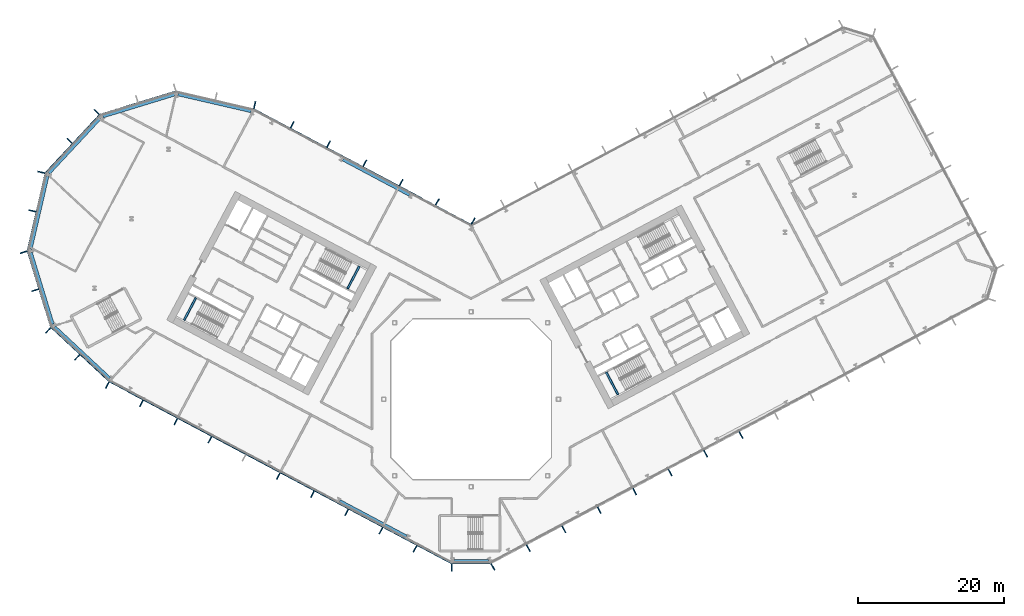
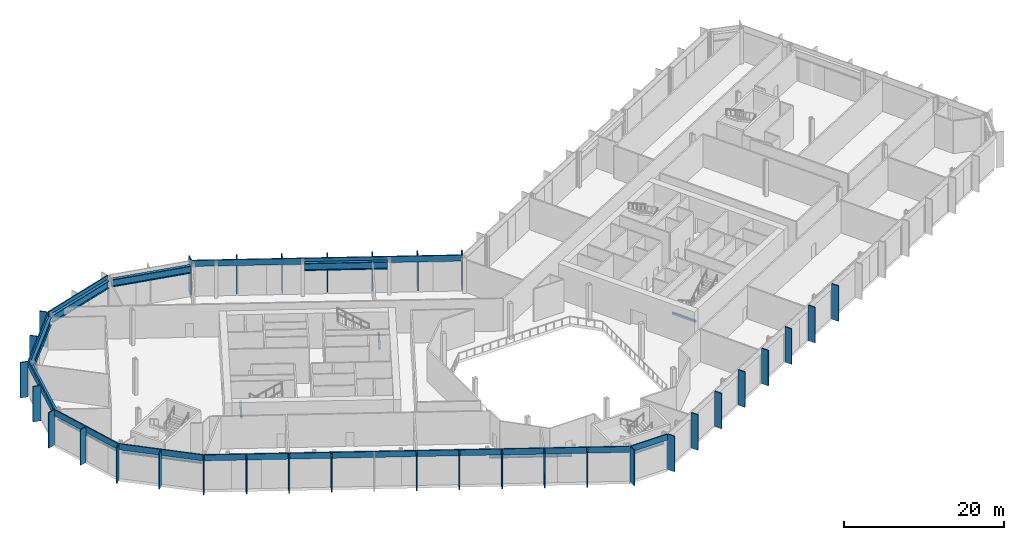
# One storey, part 6 of 31: 41 members, 12 beams, 10 elements without a shape of their own.
"""IFC4 building model written with IfcOpenShell, lengths in metres."""

from ifc_helpers import new_model, si_unit, direction, frame, origin, origin_2d, place, context, subcontext, project, spatial, rectangle, i_section, extrude, material, layer, layer_set, material_profile, profile_set, type_object, element, aggregate, save


model = new_model("IFC4")

# Units and contexts
model_context = context("Model", 3, precision=1e-05, world=origin(), true_north=direction((0.0, 1.0)))
body_context = subcontext(model_context, "Body", "Model", "MODEL_VIEW")
ifc_project = project(units=[si_unit("LENGTHUNIT", "METRE"), si_unit("AREAUNIT", "SQUARE_METRE"), si_unit("VOLUMEUNIT", "CUBIC_METRE"), si_unit("PLANEANGLEUNIT", "RADIAN"), si_unit("MASSUNIT", "GRAM", prefix="KILO")], contexts=[model_context])

# Site, building, storey
site_placement = place(None, origin())
site = spatial("IfcSite", under=ifc_project, at=site_placement, CompositionType="ELEMENT")
building_placement = place(site_placement, origin())
building = spatial("IfcBuilding", under=site, at=building_placement, Name="Cormorant Relay Tower", CompositionType="ELEMENT")
storey_placement = place(building_placement, frame((0.0, 0.0, 33.800048828125)))
storey = spatial("IfcBuildingStorey", under=building, at=storey_placement, Name="L06", CompositionType="ELEMENT", Elevation=33.800048828125)

# Curtain wall, member
ifc_material_1 = material(Name="Aluminium 6063-T6 anodised bronze", Category="aluminium")
ifc_layer = layer(ifc_material_1, 0.235107421875)
ifc_layer_set = layer_set([ifc_layer], Name="CW6 data hall curtain wall with mineral wool panels")
curtain_wall_type = type_object("IfcCurtainWallType", Name="CW6 data hall curtain wall with mineral wool panels", PredefinedType="NOTDEFINED", material=ifc_layer_set)
curtain_wall_1_placement = place(storey_placement, origin())
curtain_wall_1 = element("IfcCurtainWall", 1, at=curtain_wall_1_placement, inside=storey, type_object=curtain_wall_type, Name="CW6 curtain wall 1", PredefinedType="NOTDEFINED")
ifc_material_2 = material(Name="Aluminium 6063-T6 anodised bronze", Category="aluminium")
ifc_material_profile_1 = material_profile(ifc_material_2, rectangle(XDim=0.14990234375, YDim=1.0, at=origin_2d()), Name="AL 150x1000")
ifc_profile_set_1 = profile_set([ifc_material_profile_1], Name="Aluminium 6063-T6 anodised bronze")
member_type_1 = type_object("IfcMemberType", Name="CW6 bronze fin mullion 150 x 1000", PredefinedType="MULLION", material=ifc_profile_set_1)
member_1_placement = place(storey_placement, frame((-2.648681640625, -23.110595703125, 0.0), z_axis=(0.0, 0.0, 1.0), x_axis=(1.0, 0.0, 0.0)))
member_1 = element("IfcMember", 2, at=member_1_placement, type_object=member_type_1, Name="CW6 fin 1.1", PredefinedType="MULLION", context=body_context, shape_type="SweptSolid", body=[
    extrude(rectangle(XDim=0.14990234375, YDim=1.0, at=origin_2d()), origin(), (0.0, 0.0, 1.0), 5.39990234375),
])

# Curtain wall, members
curtain_wall_2_placement = place(storey_placement, origin())
curtain_wall_2 = element("IfcCurtainWall", 3, at=curtain_wall_2_placement, inside=storey, type_object=curtain_wall_type, Name="CW6 curtain wall 2", PredefinedType="NOTDEFINED")
member_2_placement = place(storey_placement, frame((2.993896484375, -23.0244140625, 0.0), z_axis=(0.0, 0.0, 1.0), x_axis=(0.882947592859, 0.469471562786, 0.0)))
member_2 = element("IfcMember", 4, at=member_2_placement, type_object=member_type_1, Name="CW6 fin 2.1", PredefinedType="MULLION", context=body_context, shape_type="SweptSolid", body=[
    extrude(rectangle(XDim=0.14990234375, YDim=1.0, at=origin_2d()), origin(), (0.0, 0.0, 1.0), 5.39990234375),
])
member_3_placement = place(storey_placement, frame((7.860595703125, -20.43701171875, 0.0), z_axis=(0.0, 0.0, 1.0), x_axis=(0.882947592859, 0.469471562786, 0.0)))
member_3 = element("IfcMember", 5, at=member_3_placement, type_object=member_type_1, Name="CW6 fin 2.2", PredefinedType="MULLION", context=body_context, shape_type="SweptSolid", body=[
    extrude(rectangle(XDim=0.14990234375, YDim=1.0, at=origin_2d()), origin(), (0.0, 0.0, 1.0), 5.39990234375),
])
member_4_placement = place(storey_placement, frame((12.727294921875, -17.84912109375, 0.0), z_axis=(0.0, 0.0, 1.0), x_axis=(0.882947592859, 0.469471562786, 0.0)))
member_4 = element("IfcMember", 6, at=member_4_placement, type_object=member_type_1, Name="CW6 fin 2.3", PredefinedType="MULLION", context=body_context, shape_type="SweptSolid", body=[
    extrude(rectangle(XDim=0.14990234375, YDim=1.0, at=origin_2d()), origin(), (0.0, 0.0, 1.0), 5.39990234375),
])
member_5_placement = place(storey_placement, frame((17.593994140625, -15.26171875, 0.0), z_axis=(0.0, 0.0, 1.0), x_axis=(0.882947592859, 0.469471562786, 0.0)))
member_5 = element("IfcMember", 7, at=member_5_placement, type_object=member_type_1, Name="CW6 fin 2.4", PredefinedType="MULLION", context=body_context, shape_type="SweptSolid", body=[
    extrude(rectangle(XDim=0.14990234375, YDim=1.0, at=origin_2d()), origin(), (0.0, 0.0, 1.0), 5.39990234375),
])
member_6_placement = place(storey_placement, frame((22.460693359375, -12.673828125, 0.0), z_axis=(0.0, 0.0, 1.0), x_axis=(0.882947592859, 0.469471562786, 0.0)))
member_6 = element("IfcMember", 8, at=member_6_placement, type_object=member_type_1, Name="CW6 fin 2.5", PredefinedType="MULLION", context=body_context, shape_type="SweptSolid", body=[
    extrude(rectangle(XDim=0.14990234375, YDim=1.0, at=origin_2d()), origin(), (0.0, 0.0, 1.0), 5.39990234375),
])
member_7_placement = place(storey_placement, frame((27.327392578125, -10.086181640625, 0.0), z_axis=(0.0, 0.0, 1.0), x_axis=(0.882947592859, 0.469471562786, 0.0)))
member_7 = element("IfcMember", 9, at=member_7_placement, type_object=member_type_1, Name="CW6 fin 2.6", PredefinedType="MULLION", context=body_context, shape_type="SweptSolid", body=[
    extrude(rectangle(XDim=0.14990234375, YDim=1.0, at=origin_2d()), origin(), (0.0, 0.0, 1.0), 5.39990234375),
])
member_8_placement = place(storey_placement, frame((32.194091796875, -7.49853515625, 0.0), z_axis=(0.0, 0.0, 1.0), x_axis=(0.882947592859, 0.469471562786, 0.0)))
member_8 = element("IfcMember", 10, at=member_8_placement, type_object=member_type_1, Name="CW6 fin 2.7", PredefinedType="MULLION", context=body_context, shape_type="SweptSolid", body=[
    extrude(rectangle(XDim=0.14990234375, YDim=1.0, at=origin_2d()), origin(), (0.0, 0.0, 1.0), 5.39990234375),
])
member_9_placement = place(storey_placement, frame((37.060546875, -4.910888671875, 0.0), z_axis=(0.0, 0.0, 1.0), x_axis=(0.882947592859, 0.469471562786, 0.0)))
member_9 = element("IfcMember", 11, at=member_9_placement, type_object=member_type_1, Name="CW6 fin 2.8", PredefinedType="MULLION", context=body_context, shape_type="SweptSolid", body=[
    extrude(rectangle(XDim=0.14990234375, YDim=1.0, at=origin_2d()), origin(), (0.0, 0.0, 1.0), 5.39990234375),
])
aggregate(curtain_wall_2, [member_2, member_3, member_4, member_5, member_6, member_7, member_8, member_9])

curtain_wall_3_placement = place(storey_placement, origin())
curtain_wall_3 = element("IfcCurtainWall", 12, at=curtain_wall_3_placement, inside=storey, type_object=curtain_wall_type, Name="CW6 curtain wall 7", PredefinedType="NOTDEFINED")
member_10_placement = place(storey_placement, frame((0.27880859375, 24.468017578125, 0.0), z_axis=(0.0, 0.0, 1.0), x_axis=(-0.882947592859, 0.469471562786, 0.0)))
member_10 = element("IfcMember", 13, at=member_10_placement, type_object=member_type_1, Name="CW6 fin 7.1", PredefinedType="MULLION", context=body_context, shape_type="SweptSolid", body=[
    extrude(rectangle(XDim=0.14990234375, YDim=1.0, at=origin_2d()), origin(), (0.0, 0.0, 1.0), 5.39990234375),
])
member_11_placement = place(storey_placement, frame((-4.6337890625, 27.080322265625, 0.0), z_axis=(0.0, 0.0, 1.0), x_axis=(-0.882947592859, 0.469471562786, 0.0)))
member_11 = element("IfcMember", 14, at=member_11_placement, type_object=member_type_1, Name="CW6 fin 7.2", PredefinedType="MULLION", context=body_context, shape_type="SweptSolid", body=[
    extrude(rectangle(XDim=0.14990234375, YDim=1.0, at=origin_2d()), origin(), (0.0, 0.0, 1.0), 5.39990234375),
])
member_12_placement = place(storey_placement, frame((-9.61279296875, 29.727783203125, 0.0), z_axis=(0.0, 0.0, 1.0), x_axis=(-0.882947592859, 0.469471562786, 0.0)))
member_12 = element("IfcMember", 15, at=member_12_placement, type_object=member_type_1, Name="CW6 fin 7.3", PredefinedType="MULLION", context=body_context, shape_type="SweptSolid", body=[
    extrude(rectangle(XDim=0.14990234375, YDim=1.0, at=origin_2d()), origin(), (0.0, 0.0, 1.0), 5.39990234375),
])
member_13_placement = place(storey_placement, frame((-14.591796875, 32.375, 0.0), z_axis=(0.0, 0.0, 1.0), x_axis=(-0.882947592859, 0.469471562786, 0.0)))
member_13 = element("IfcMember", 16, at=member_13_placement, type_object=member_type_1, Name="CW6 fin 7.4", PredefinedType="MULLION", context=body_context, shape_type="SweptSolid", body=[
    extrude(rectangle(XDim=0.14990234375, YDim=1.0, at=origin_2d()), origin(), (0.0, 0.0, 1.0), 5.39990234375),
])
member_14_placement = place(storey_placement, frame((-19.57080078125, 35.0224609375, 0.0), z_axis=(0.0, 0.0, 1.0), x_axis=(-0.882947592859, 0.469471562786, 0.0)))
member_14 = element("IfcMember", 17, at=member_14_placement, type_object=member_type_1, Name="CW6 fin 7.5", PredefinedType="MULLION", context=body_context, shape_type="SweptSolid", body=[
    extrude(rectangle(XDim=0.14990234375, YDim=1.0, at=origin_2d()), origin(), (0.0, 0.0, 1.0), 5.39990234375),
])
member_15_placement = place(storey_placement, frame((-24.5498046875, 37.669677734375, 0.0), z_axis=(0.0, 0.0, 1.0), x_axis=(-0.882947592859, 0.469471562786, 0.0)))
member_15 = element("IfcMember", 18, at=member_15_placement, type_object=member_type_1, Name="CW6 fin 7.6", PredefinedType="MULLION", context=body_context, shape_type="SweptSolid", body=[
    extrude(rectangle(XDim=0.14990234375, YDim=1.0, at=origin_2d()), origin(), (0.0, 0.0, 1.0), 5.39990234375),
])

# Curtain wall, member
curtain_wall_4_placement = place(storey_placement, origin())
curtain_wall_4 = element("IfcCurtainWall", 19, at=curtain_wall_4_placement, inside=storey, type_object=curtain_wall_type, Name="CW6 curtain wall 8", PredefinedType="NOTDEFINED")
member_16_placement = place(storey_placement, frame((-29.70849609375, 40.38427734375, 0.0), z_axis=(0.0, 0.0, 1.0), x_axis=(-0.974370064785, 0.224951054344, 0.0)))
member_16 = element("IfcMember", 20, at=member_16_placement, type_object=member_type_1, Name="CW6 fin 8.1", PredefinedType="MULLION", context=body_context, shape_type="SweptSolid", body=[
    extrude(rectangle(XDim=0.14990234375, YDim=1.0, at=origin_2d()), origin(), (0.0, 0.0, 1.0), 5.39990234375),
])
aggregate(curtain_wall_4, [member_16])

# Curtain wall, members
curtain_wall_5_placement = place(storey_placement, origin())
curtain_wall_5 = element("IfcCurtainWall", 21, at=curtain_wall_5_placement, inside=storey, type_object=curtain_wall_type, Name="CW6 curtain wall 10", PredefinedType="NOTDEFINED")
member_17_placement = place(storey_placement, frame((-51.3984375, 39.4365234375, 0.0), z_axis=(0.0, 0.0, 1.0), x_axis=(-0.681998360062, -0.731353701619, 0.0)))
member_17 = element("IfcMember", 22, at=member_17_placement, type_object=member_type_1, Name="CW6 fin 10.1", PredefinedType="MULLION", context=body_context, shape_type="SweptSolid", body=[
    extrude(rectangle(XDim=0.14990234375, YDim=1.0, at=origin_2d()), origin(), (0.0, 0.0, 1.0), 5.39990234375),
])
member_18_placement = place(storey_placement, frame((-55.105224609375, 35.46142578125, 0.0), z_axis=(0.0, 0.0, 1.0), x_axis=(-0.681998360062, -0.731353701619, 0.0)))
member_18 = element("IfcMember", 23, at=member_18_placement, type_object=member_type_1, Name="CW6 fin 10.2", PredefinedType="MULLION", context=body_context, shape_type="SweptSolid", body=[
    extrude(rectangle(XDim=0.14990234375, YDim=1.0, at=origin_2d()), origin(), (0.0, 0.0, 1.0), 5.39990234375),
])

curtain_wall_6_placement = place(storey_placement, origin())
curtain_wall_6 = element("IfcCurtainWall", 24, at=curtain_wall_6_placement, inside=storey, type_object=curtain_wall_type, Name="CW6 curtain wall 11", PredefinedType="NOTDEFINED")
member_19_placement = place(storey_placement, frame((-58.99072265625, 31.150390625, 0.0), z_axis=(0.0, 0.0, 1.0), x_axis=(-0.224951054344, -0.974370064785, 0.0)))
member_19 = element("IfcMember", 25, at=member_19_placement, type_object=member_type_1, Name="CW6 fin 11.1", PredefinedType="MULLION", context=body_context, shape_type="SweptSolid", body=[
    extrude(rectangle(XDim=0.14990234375, YDim=1.0, at=origin_2d()), origin(), (0.0, 0.0, 1.0), 5.39990234375),
])
member_20_placement = place(storey_placement, frame((-60.21337890625, 25.8544921875, 0.0), z_axis=(0.0, 0.0, 1.0), x_axis=(-0.224951054344, -0.974370064785, 0.0)))
member_20 = element("IfcMember", 26, at=member_20_placement, type_object=member_type_1, Name="CW6 fin 11.2", PredefinedType="MULLION", context=body_context, shape_type="SweptSolid", body=[
    extrude(rectangle(XDim=0.14990234375, YDim=1.0, at=origin_2d()), origin(), (0.0, 0.0, 1.0), 5.39990234375),
])

curtain_wall_7_placement = place(storey_placement, origin())
curtain_wall_7 = element("IfcCurtainWall", 27, at=curtain_wall_7_placement, inside=storey, type_object=curtain_wall_type, Name="CW6 curtain wall 12", PredefinedType="NOTDEFINED")
member_21_placement = place(storey_placement, frame((-61.422607421875, 20.178466796875, 0.0), z_axis=(0.0, 0.0, 1.0), x_axis=(0.292371704723, -0.956304755963, 0.0)))
member_21 = element("IfcMember", 28, at=member_21_placement, type_object=member_type_1, Name="CW6 fin 12.1", PredefinedType="MULLION", context=body_context, shape_type="SweptSolid", body=[
    extrude(rectangle(XDim=0.14990234375, YDim=1.0, at=origin_2d()), origin(), (0.0, 0.0, 1.0), 5.39990234375),
])
member_22_placement = place(storey_placement, frame((-59.83349609375, 14.980712890625, 0.0), z_axis=(0.0, 0.0, 1.0), x_axis=(0.292371704723, -0.956304755963, 0.0)))
member_22 = element("IfcMember", 29, at=member_22_placement, type_object=member_type_1, Name="CW6 fin 12.2", PredefinedType="MULLION", context=body_context, shape_type="SweptSolid", body=[
    extrude(rectangle(XDim=0.14990234375, YDim=1.0, at=origin_2d()), origin(), (0.0, 0.0, 1.0), 5.39990234375),
])

curtain_wall_8_placement = place(storey_placement, origin())
curtain_wall_8 = element("IfcCurtainWall", 30, at=curtain_wall_8_placement, inside=storey, type_object=curtain_wall_type, Name="CW6 curtain wall 13", PredefinedType="NOTDEFINED")
member_23_placement = place(storey_placement, frame((-58.04296875, 9.46044921875, 0.0), z_axis=(0.0, 0.0, 1.0), x_axis=(0.731353701619, -0.681998360062, 0.0)))
member_23 = element("IfcMember", 31, at=member_23_placement, type_object=member_type_1, Name="CW6 fin 13.1", PredefinedType="MULLION", context=body_context, shape_type="SweptSolid", body=[
    extrude(rectangle(XDim=0.14990234375, YDim=1.0, at=origin_2d()), origin(), (0.0, 0.0, 1.0), 5.39990234375),
])
member_24_placement = place(storey_placement, frame((-54.06787109375, 5.753662109375, 0.0), z_axis=(0.0, 0.0, 1.0), x_axis=(0.731353701619, -0.681998360062, 0.0)))
member_24 = element("IfcMember", 32, at=member_24_placement, type_object=member_type_1, Name="CW6 fin 13.2", PredefinedType="MULLION", context=body_context, shape_type="SweptSolid", body=[
    extrude(rectangle(XDim=0.14990234375, YDim=1.0, at=origin_2d()), origin(), (0.0, 0.0, 1.0), 5.39990234375),
])

curtain_wall_9_placement = place(storey_placement, origin())
curtain_wall_9 = element("IfcCurtainWall", 33, at=curtain_wall_9_placement, inside=storey, type_object=curtain_wall_type, Name="CW6 curtain wall 14", PredefinedType="NOTDEFINED")
member_25_placement = place(storey_placement, frame((-49.9365234375, 1.935302734375, 0.0), z_axis=(0.0, 0.0, 1.0), x_axis=(0.882947592859, -0.469471562786, 0.0)))
member_25 = element("IfcMember", 34, at=member_25_placement, type_object=member_type_1, Name="CW6 fin 14.1", PredefinedType="MULLION", context=body_context, shape_type="SweptSolid", body=[
    extrude(rectangle(XDim=0.14990234375, YDim=1.0, at=origin_2d()), origin(), (0.0, 0.0, 1.0), 5.39990234375),
])
member_26_placement = place(storey_placement, frame((-45.2421875, -0.560546875, 0.0), z_axis=(0.0, 0.0, 1.0), x_axis=(0.882947592859, -0.469471562786, 0.0)))
member_26 = element("IfcMember", 35, at=member_26_placement, type_object=member_type_1, Name="CW6 fin 14.2", PredefinedType="MULLION", context=body_context, shape_type="SweptSolid", body=[
    extrude(rectangle(XDim=0.14990234375, YDim=1.0, at=origin_2d()), origin(), (0.0, 0.0, 1.0), 5.39990234375),
])
member_27_placement = place(storey_placement, frame((-40.548095703125, -3.056640625, 0.0), z_axis=(0.0, 0.0, 1.0), x_axis=(0.882947592859, -0.469471562786, 0.0)))
member_27 = element("IfcMember", 36, at=member_27_placement, type_object=member_type_1, Name="CW6 fin 14.3", PredefinedType="MULLION", context=body_context, shape_type="SweptSolid", body=[
    extrude(rectangle(XDim=0.14990234375, YDim=1.0, at=origin_2d()), origin(), (0.0, 0.0, 1.0), 5.39990234375),
])
member_28_placement = place(storey_placement, frame((-35.853759765625, -5.552490234375, 0.0), z_axis=(0.0, 0.0, 1.0), x_axis=(0.882947592859, -0.469471562786, 0.0)))
member_28 = element("IfcMember", 37, at=member_28_placement, type_object=member_type_1, Name="CW6 fin 14.4", PredefinedType="MULLION", context=body_context, shape_type="SweptSolid", body=[
    extrude(rectangle(XDim=0.14990234375, YDim=1.0, at=origin_2d()), origin(), (0.0, 0.0, 1.0), 5.39990234375),
])
member_29_placement = place(storey_placement, frame((-26.46533203125, -10.544677734375, 0.0), z_axis=(0.0, 0.0, 1.0), x_axis=(0.882947592859, -0.469471562786, 0.0)))
member_29 = element("IfcMember", 38, at=member_29_placement, type_object=member_type_1, Name="CW6 fin 14.6", PredefinedType="MULLION", context=body_context, shape_type="SweptSolid", body=[
    extrude(rectangle(XDim=0.14990234375, YDim=1.0, at=origin_2d()), origin(), (0.0, 0.0, 1.0), 5.39990234375),
])
member_30_placement = place(storey_placement, frame((-21.77099609375, -13.04052734375, 0.0), z_axis=(0.0, 0.0, 1.0), x_axis=(0.882947592859, -0.469471562786, 0.0)))
member_30 = element("IfcMember", 39, at=member_30_placement, type_object=member_type_1, Name="CW6 fin 14.7", PredefinedType="MULLION", context=body_context, shape_type="SweptSolid", body=[
    extrude(rectangle(XDim=0.14990234375, YDim=1.0, at=origin_2d()), origin(), (0.0, 0.0, 1.0), 5.39990234375),
])
member_31_placement = place(storey_placement, frame((-17.07666015625, -15.53662109375, 0.0), z_axis=(0.0, 0.0, 1.0), x_axis=(0.882947592859, -0.469471562786, 0.0)))
member_31 = element("IfcMember", 40, at=member_31_placement, type_object=member_type_1, Name="CW6 fin 14.8", PredefinedType="MULLION", context=body_context, shape_type="SweptSolid", body=[
    extrude(rectangle(XDim=0.14990234375, YDim=1.0, at=origin_2d()), origin(), (0.0, 0.0, 1.0), 5.39990234375),
])
member_32_placement = place(storey_placement, frame((-12.38232421875, -18.032470703125, 0.0), z_axis=(0.0, 0.0, 1.0), x_axis=(0.882947592859, -0.469471562786, 0.0)))
member_32 = element("IfcMember", 41, at=member_32_placement, type_object=member_type_1, Name="CW6 fin 14.9", PredefinedType="MULLION", context=body_context, shape_type="SweptSolid", body=[
    extrude(rectangle(XDim=0.14990234375, YDim=1.0, at=origin_2d()), origin(), (0.0, 0.0, 1.0), 5.39990234375),
])
member_33_placement = place(storey_placement, frame((-7.688232421875, -20.528564453125, 0.0), z_axis=(0.0, 0.0, 1.0), x_axis=(0.882947592859, -0.469471562786, 0.0)))
member_33 = element("IfcMember", 42, at=member_33_placement, type_object=member_type_1, Name="CW6 fin 14.10", PredefinedType="MULLION", context=body_context, shape_type="SweptSolid", body=[
    extrude(rectangle(XDim=0.14990234375, YDim=1.0, at=origin_2d()), origin(), (0.0, 0.0, 1.0), 5.39990234375),
])

# Member
ifc_material_3 = material(Name="Aluminium 6063-T6 anodised bronze", Category="aluminium")
ifc_material_profile_2 = material_profile(ifc_material_3, rectangle(XDim=0.159912109375, YDim=0.89990234375, at=origin_2d()), Name="AL 160x900")
ifc_profile_set_2 = profile_set([ifc_material_profile_2], Name="Aluminium 6063-T6 anodised bronze")
member_type_2 = type_object("IfcMemberType", Name="CW6 bronze transom 160 x 900", PredefinedType="USERDEFINED", material=ifc_profile_set_2)
member_34_placement = place(storey_placement, frame((-2.648681640625, -22.530517578125, 4.949951171875), z_axis=(1.0, 0.0, 0.0), x_axis=(0.0, 1.0, 0.0)))
member_34 = element("IfcMember", 43, at=member_34_placement, type_object=member_type_2, Name="CW6 transom 1", ObjectType="TRANSOM", PredefinedType="USERDEFINED", context=body_context, shape_type="SweptSolid", body=[
    extrude(rectangle(XDim=0.159912109375, YDim=0.89990234375, at=origin_2d()), origin(), (0.0, 0.0, 1.0), 5.29736328125),
])

aggregate(curtain_wall_1, [member_1, member_34])

member_35_placement = place(storey_placement, frame((0.07275390625, 23.9208984375, 4.949951171875), z_axis=(-0.882949271414, 0.46946840587, 0.0), x_axis=(-0.46946840587, -0.882949271414, 0.0)))
member_35 = element("IfcMember", 44, at=member_35_placement, type_object=member_type_2, Name="CW6 transom 7", ObjectType="TRANSOM", PredefinedType="USERDEFINED", context=body_context, shape_type="SweptSolid", body=[
    extrude(rectangle(XDim=0.159912109375, YDim=0.89990234375, at=origin_2d()), origin(), (0.0, 0.0, 1.0), 33.833984375),
])

aggregate(curtain_wall_3, [member_10, member_11, member_12, member_13, member_14, member_15, member_35])

# Curtain wall, member
curtain_wall_10_placement = place(storey_placement, origin())
curtain_wall_10 = element("IfcCurtainWall", 45, at=curtain_wall_10_placement, inside=storey, type_object=curtain_wall_type, Name="CW6 curtain wall 9", PredefinedType="NOTDEFINED")
member_36_placement = place(storey_placement, frame((-40.5107421875, 42.26171875, 4.949951171875), z_axis=(-0.956304833932, -0.292371449698, 0.0), x_axis=(0.292371449698, -0.956304833932, 0.0)))
member_36 = element("IfcMember", 46, at=member_36_placement, type_object=member_type_2, Name="CW6 transom 9", ObjectType="TRANSOM", PredefinedType="USERDEFINED", context=body_context, shape_type="SweptSolid", body=[
    extrude(rectangle(XDim=0.159912109375, YDim=0.89990234375, at=origin_2d()), origin(), (0.0, 0.0, 1.0), 10.87060546875),
])
aggregate(curtain_wall_10, [member_36])

# Member
member_37_placement = place(storey_placement, frame((-50.974365234375, 39.041015625, 4.949951171875), z_axis=(-0.681993299437, -0.731358420696, 0.0), x_axis=(0.731358420696, -0.681993299437, 0.0)))
member_37 = element("IfcMember", 47, at=member_37_placement, type_object=member_type_2, Name="CW6 transom 10", ObjectType="TRANSOM", PredefinedType="USERDEFINED", context=body_context, shape_type="SweptSolid", body=[
    extrude(rectangle(XDim=0.159912109375, YDim=0.89990234375, at=origin_2d()), origin(), (0.0, 0.0, 1.0), 10.870361328125),
])

aggregate(curtain_wall_5, [member_17, member_18, member_37])

member_38_placement = place(storey_placement, frame((-58.425537109375, 31.02001953125, 4.949951171875), z_axis=(-0.22495136131, -0.974369993916, 0.0), x_axis=(0.974369993916, -0.22495136131, 0.0)))
member_38 = element("IfcMember", 48, at=member_38_placement, type_object=member_type_2, Name="CW6 transom 11", ObjectType="TRANSOM", PredefinedType="USERDEFINED", context=body_context, shape_type="SweptSolid", body=[
    extrude(rectangle(XDim=0.159912109375, YDim=0.89990234375, at=origin_2d()), origin(), (0.0, 0.0, 1.0), 10.870361328125),
])

aggregate(curtain_wall_6, [member_19, member_20, member_38])

member_39_placement = place(storey_placement, frame((-60.8681640625, 20.347900390625, 4.949951171875), z_axis=(0.292377729282, -0.95630291405, 0.0), x_axis=(0.95630291405, 0.292377729282, 0.0)))
member_39 = element("IfcMember", 49, at=member_39_placement, type_object=member_type_2, Name="CW6 transom 12", ObjectType="TRANSOM", PredefinedType="USERDEFINED", context=body_context, shape_type="SweptSolid", body=[
    extrude(rectangle(XDim=0.159912109375, YDim=0.89990234375, at=origin_2d()), origin(), (0.0, 0.0, 1.0), 10.870361328125),
])

aggregate(curtain_wall_7, [member_21, member_22, member_39])

member_40_placement = place(storey_placement, frame((-57.6474609375, 9.884521484375, 4.949951171875), z_axis=(0.731358420696, -0.681993299437, 0.0), x_axis=(0.681993299437, 0.731358420696, 0.0)))
member_40 = element("IfcMember", 50, at=member_40_placement, type_object=member_type_2, Name="CW6 transom 13", ObjectType="TRANSOM", PredefinedType="USERDEFINED", context=body_context, shape_type="SweptSolid", body=[
    extrude(rectangle(XDim=0.159912109375, YDim=0.89990234375, at=origin_2d()), origin(), (0.0, 0.0, 1.0), 10.870361328125),
])

aggregate(curtain_wall_8, [member_23, member_24, member_40])

member_41_placement = place(storey_placement, frame((-49.664306640625, 2.447509765625, 4.949951171875), z_axis=(0.882946630435, -0.469473372838, 0.0), x_axis=(0.469473372838, 0.882946630435, 0.0)))
member_41 = element("IfcMember", 51, at=member_41_placement, type_object=member_type_2, Name="CW6 transom 14", ObjectType="TRANSOM", PredefinedType="USERDEFINED", context=body_context, shape_type="SweptSolid", body=[
    extrude(rectangle(XDim=0.159912109375, YDim=0.89990234375, at=origin_2d()), origin(), (0.0, 0.0, 1.0), 53.165771484375),
])

aggregate(curtain_wall_9, [member_25, member_26, member_27, member_28, member_29, member_30, member_31, member_32, member_33, member_41])

# Beams
ifc_material_4 = material(Name="Steel ASTM A992 (Fy 345 MPa)", Category="steel")
ifc_material_profile_3 = material_profile(ifc_material_4, i_section(OverallWidth=0.408935546875, OverallDepth=1.137939453125, WebThickness=0.031005859375, FlangeThickness=0.05517578125, FilletRadius=0.02001953125, at=origin_2d()), Name="W1100x607")
ifc_profile_set_3 = profile_set([ifc_material_profile_3], Name="Steel ASTM A992 (Fy 345 MPa)")
beam_type_1 = type_object("IfcBeamType", Name="Spandrel W1100x607", PredefinedType="SPANDREL", material=ifc_profile_set_3)
beam_1_placement = place(storey_placement, frame((-2.331787109375, -22.171142578125, 4.380859375), z_axis=(1.0, 0.0, 0.0), x_axis=(0.0, 1.0, 0.0)))
element("IfcBeam", 52, at=beam_1_placement, inside=storey, type_object=beam_type_1, Name="Spandrel beam L06-001", PredefinedType="SPANDREL", context=body_context, shape_type="SweptSolid", body=[
    extrude(i_section(OverallWidth=0.408935546875, OverallDepth=1.137939453125, WebThickness=0.031005859375, FlangeThickness=0.05517578125, FilletRadius=0.02001953125, at=origin_2d()), origin(), (0.0, 0.0, 1.0), 4.71533203125),
])
beam_2_placement = place(storey_placement, frame((-8.442138671875, 28.041015625, 4.380859375), z_axis=(-0.882941792792, 0.469482470963, 0.0), x_axis=(-0.469482470963, -0.882941792792, 0.0)))
element("IfcBeam", 53, at=beam_2_placement, inside=storey, type_object=beam_type_1, Name="Spandrel beam L06-007", PredefinedType="SPANDREL", context=body_context, shape_type="SweptSolid", body=[
    extrude(i_section(OverallWidth=0.408935546875, OverallDepth=1.137939453125, WebThickness=0.031005859375, FlangeThickness=0.05517578125, FilletRadius=0.02001953125, at=origin_2d()), origin(), (0.0, 0.0, 1.0), 10.363037109375),
])
beam_3_placement = place(storey_placement, frame((-30.184814453125, 39.530029296875, 4.380859375), z_axis=(-0.974369683491, 0.224952705905, 0.0), x_axis=(-0.224952705905, -0.974369683491, 0.0)))
element("IfcBeam", 54, at=beam_3_placement, inside=storey, type_object=beam_type_1, Name="Spandrel beam L06-008", PredefinedType="SPANDREL", context=body_context, shape_type="SweptSolid", body=[
    extrude(i_section(OverallWidth=0.408935546875, OverallDepth=1.137939453125, WebThickness=0.031005859375, FlangeThickness=0.05517578125, FilletRadius=0.02001953125, at=origin_2d()), origin(), (0.0, 0.0, 1.0), 10.3310546875),
])
beam_4_placement = place(storey_placement, frame((-40.716796875, 41.82275390625, 4.380859375), z_axis=(-0.956304908485, -0.292371205845, 0.0), x_axis=(0.292371205845, -0.956304908485, 0.0)))
element("IfcBeam", 55, at=beam_4_placement, inside=storey, type_object=beam_type_1, Name="Spandrel beam L06-009", PredefinedType="SPANDREL", context=body_context, shape_type="SweptSolid", body=[
    extrude(i_section(OverallWidth=0.408935546875, OverallDepth=1.137939453125, WebThickness=0.031005859375, FlangeThickness=0.05517578125, FilletRadius=0.02001953125, at=origin_2d()), origin(), (0.0, 0.0, 1.0), 10.278564453125),
])
beam_5_placement = place(storey_placement, frame((-50.93359375, 38.557373046875, 4.380859375), z_axis=(-0.682005863937, -0.731346704071, 0.0), x_axis=(0.731346704071, -0.682005863937, 0.0)))
element("IfcBeam", 56, at=beam_5_placement, inside=storey, type_object=beam_type_1, Name="Spandrel beam L06-010", PredefinedType="SPANDREL", context=body_context, shape_type="SweptSolid", body=[
    extrude(i_section(OverallWidth=0.408935546875, OverallDepth=1.137939453125, WebThickness=0.031005859375, FlangeThickness=0.05517578125, FilletRadius=0.02001953125, at=origin_2d()), origin(), (0.0, 0.0, 1.0), 10.277099609375),
])
beam_6_placement = place(storey_placement, frame((-58.1484375, 30.6220703125, 4.380859375), z_axis=(-0.224956659484, -0.97436877072, 0.0), x_axis=(0.97436877072, -0.224956659484, 0.0)))
element("IfcBeam", 57, at=beam_6_placement, inside=storey, type_object=beam_type_1, Name="Spandrel beam L06-011", PredefinedType="SPANDREL", context=body_context, shape_type="SweptSolid", body=[
    extrude(i_section(OverallWidth=0.408935546875, OverallDepth=1.137939453125, WebThickness=0.031005859375, FlangeThickness=0.05517578125, FilletRadius=0.02001953125, at=origin_2d()), origin(), (0.0, 0.0, 1.0), 10.277587890625),
])
beam_7_placement = place(storey_placement, frame((-60.42919921875, 20.14208984375, 4.380859375), z_axis=(0.292364564847, -0.956306938813, 0.0), x_axis=(0.956306938813, 0.292364564847, 0.0)))
element("IfcBeam", 58, at=beam_7_placement, inside=storey, type_object=beam_type_1, Name="Spandrel beam L06-012", PredefinedType="SPANDREL", context=body_context, shape_type="SweptSolid", body=[
    extrude(i_section(OverallWidth=0.408935546875, OverallDepth=1.137939453125, WebThickness=0.031005859375, FlangeThickness=0.05517578125, FilletRadius=0.02001953125, at=origin_2d()), origin(), (0.0, 0.0, 1.0), 10.27880859375),
])
beam_8_placement = place(storey_placement, frame((-57.163818359375, 9.925048828125, 4.380859375), z_axis=(0.731361805756, -0.681989669336, 0.0), x_axis=(0.681989669336, 0.731361805756, 0.0)))
element("IfcBeam", 59, at=beam_8_placement, inside=storey, type_object=beam_type_1, Name="Spandrel beam L06-013", PredefinedType="SPANDREL", context=body_context, shape_type="SweptSolid", body=[
    extrude(i_section(OverallWidth=0.408935546875, OverallDepth=1.137939453125, WebThickness=0.031005859375, FlangeThickness=0.05517578125, FilletRadius=0.02001953125, at=origin_2d()), origin(), (0.0, 0.0, 1.0), 10.30029296875),
])
beam_9_placement = place(storey_placement, frame((-18.04638671875, -13.95703125, 4.380859375), z_axis=(0.882942412403, -0.469481305677, 0.0), x_axis=(0.469481305677, 0.882942412403, 0.0)))
element("IfcBeam", 60, at=beam_9_placement, inside=storey, type_object=beam_type_1, Name="Spandrel beam L06-014", PredefinedType="SPANDREL", context=body_context, shape_type="SweptSolid", body=[
    extrude(i_section(OverallWidth=0.408935546875, OverallDepth=1.137939453125, WebThickness=0.031005859375, FlangeThickness=0.05517578125, FilletRadius=0.02001953125, at=origin_2d()), origin(), (0.0, 0.0, 1.0), 10.363525390625),
])
ifc_material_5 = material(Name="Concrete 50 MPa", Category="concrete")
ifc_material_profile_4 = material_profile(ifc_material_5, rectangle(XDim=0.25, YDim=0.300048828125, at=origin_2d()), Name="RC 250x300")
ifc_profile_set_4 = profile_set([ifc_material_profile_4], Name="Concrete 50 MPa")
beam_type_2 = type_object("IfcBeamType", Name="Stair landing ledge beam 250x300", PredefinedType="BEAM", material=ifc_profile_set_4)
for number, where, z_axis, x_axis, name in (
    (61, (-16.9677734375, 15.1943359375, 2.349853515625), (0.469463917486, 0.882951657895, 0.0), (-0.882951657895, 0.469463917486, 0.0), "A1 landing ledge beam"),
    (62, (-37.77490234375, 13.912841796875, 2.349853515625), (-0.469519084434, -0.88292232351, 0.0), (0.88292232351, -0.469519084434, 0.0), "A2 landing ledge beam"),
    (63, (18.55322265625, 3.6923828125, 2.349853515625), (0.469463917486, -0.882951657895, 0.0), (0.882951657895, 0.469463917486, 0.0), "B1 landing ledge beam"),
):
    element("IfcBeam", number, at=place(storey_placement, frame(where, z_axis=z_axis, x_axis=x_axis)), inside=storey, type_object=beam_type_2, Name=name, PredefinedType="BEAM", context=body_context, shape_type="SweptSolid", body=[
        extrude(rectangle(XDim=0.25, YDim=0.300048828125, at=origin_2d()), origin(), (0.0, 0.0, 1.0), 3.449951171875),
    ])

save(model, "model.ifc")
